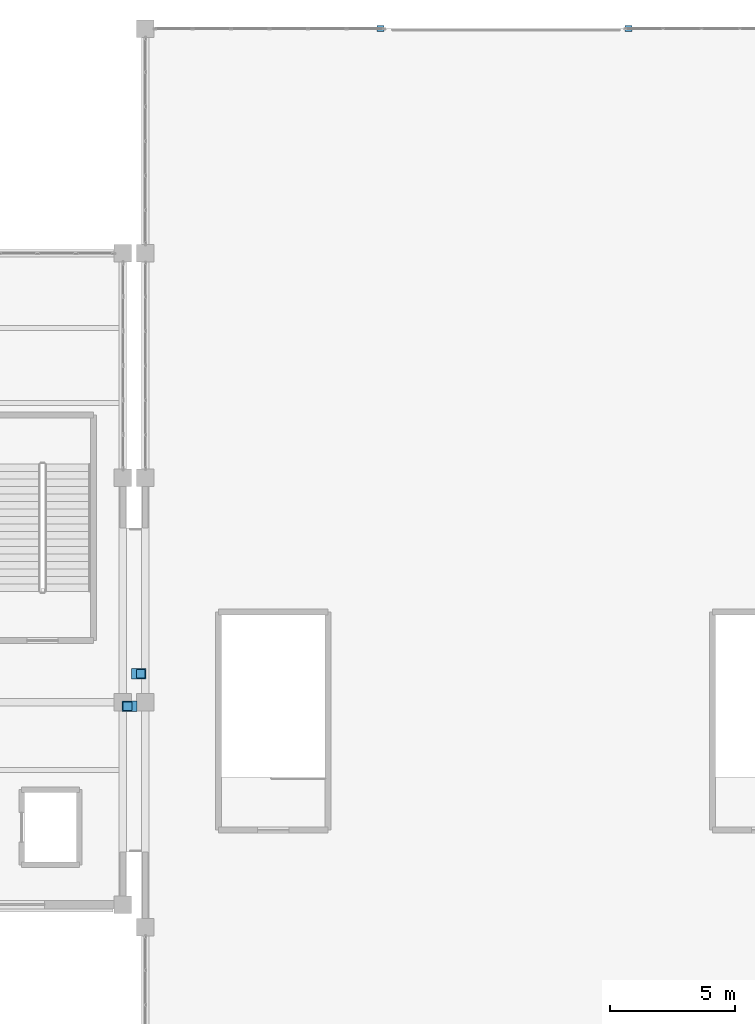
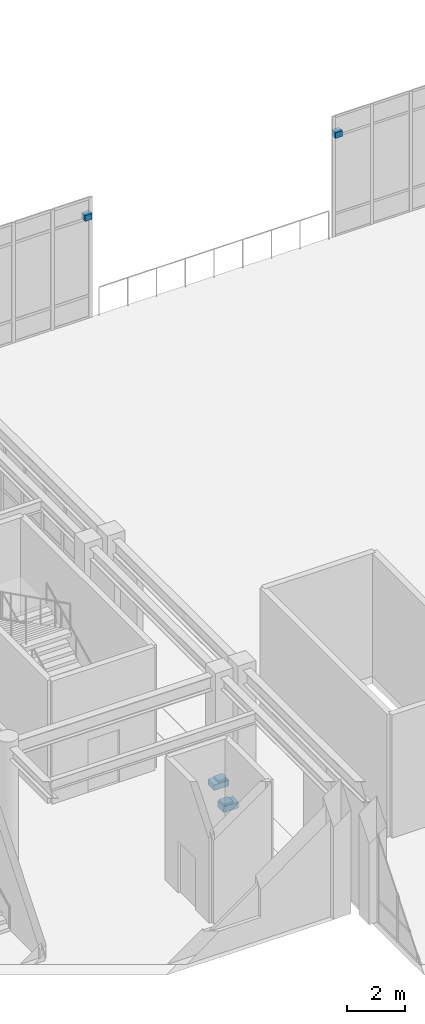
# One storey, part 71 of 80: 6 discrete accessories.
"""IFC4 building model written with IfcOpenShell, lengths in metres."""

import ifcopenshell
import ifcopenshell.guid

model = None  # the IFC model being written
_history = None  # IfcOwnerHistory: only IFC2X3 demands one
_inside = {}  # id of a spatial element -> (the spatial element, [elements in it])
_under = {}  # id of a project, library or spatial element -> (it, [spatial elements below it])
_declared = {}  # id of a project -> (the project, [libraries it declares])
_typed = {}  # id of a type object -> (the type object, [elements of that type])
_made_of = {}  # id of a material, layer set ... -> (it, [elements and type objects made of it])


def new_model(schema):
    """Start an empty IFC model of exactly this schema.

    Asked for "IFC4X3", IfcOpenShell would pick the latest addendum, in which some entities
    have other attributes; the version numbers below select the first issue.
    IFC2X3 requires an IfcOwnerHistory on every rooted entity: one is made here for all.
    """
    global model, _history
    if schema == "IFC4X3":
        model = ifcopenshell.file(schema_version=(4, 3, 0, 0))
    else:
        model = ifcopenshell.file(schema=schema)
    _inside.clear()
    _under.clear()
    _declared.clear()
    _typed.clear()
    _made_of.clear()
    _history = None
    if model.schema == "IFC2X3":
        org = make("IfcOrganization", Name="unknown")
        user = make(
            "IfcPersonAndOrganization",
            ThePerson=make("IfcPerson", FamilyName="unknown"),
            TheOrganization=org,
        )
        app = make(
            "IfcApplication",
            ApplicationDeveloper=org,
            Version="unknown",
            ApplicationFullName="unknown",
            ApplicationIdentifier="unknown",
        )
        _history = make(
            "IfcOwnerHistory",
            OwningUser=user,
            OwningApplication=app,
            ChangeAction="ADDED",
            CreationDate=0,
        )
    return model


def make(cls, **values):
    """One entity of the class cls with the attributes given. An attribute that is None is left unset."""
    return model.create_entity(
        cls, **{name: value for name, value in values.items() if value is not None}
    )


def rooted(cls, **values):
    """An entity with a GlobalId (a new one), such as an element, a storey or a relation."""
    return make(cls, GlobalId=ifcopenshell.guid.new(), OwnerHistory=_history, **values)


def si_unit(unit_type, name, prefix=None):
    """IfcSIUnit, for example si_unit("LENGTHUNIT", "METRE", prefix="MILLI")."""
    return make("IfcSIUnit", UnitType=unit_type, Prefix=prefix, Name=name)


def assignment(units):
    """IfcUnitAssignment: the units of a project."""
    return None if units is None else make("IfcUnitAssignment", Units=units)


def point(xyz):
    """IfcCartesianPoint."""
    return None if xyz is None else make("IfcCartesianPoint", Coordinates=xyz)


def direction(xyz):
    """IfcDirection."""
    return None if xyz is None else make("IfcDirection", DirectionRatios=xyz)


def frame(location, z_axis=None, x_axis=None):
    """IfcAxis2Placement3D, a coordinate frame: its origin and axes. An axis left out is left unset."""
    return make(
        "IfcAxis2Placement3D",
        Location=point(location),
        Axis=direction(z_axis),
        RefDirection=direction(x_axis),
    )


def frame_2d(location, x_axis=None):
    """IfcAxis2Placement2D, a coordinate frame in the plane: its origin and x axis."""
    return make(
        "IfcAxis2Placement2D", Location=point(location), RefDirection=direction(x_axis)
    )


def origin():
    """The frame at (0, 0, 0) with its axes left unset."""
    return frame((0.0, 0.0, 0.0))


def origin_2d():
    """The frame at (0, 0) in the plane with its x axis left unset."""
    return frame_2d((0.0, 0.0))


def place(relative_to, where):
    """IfcLocalPlacement: puts the frame where relative to a parent placement (None: the world)."""
    return make(
        "IfcLocalPlacement", PlacementRelTo=relative_to, RelativePlacement=where
    )


def context(
    kind, dimensions, precision=None, world=None, true_north=None, identifier=None
):
    """IfcGeometricRepresentationContext, for example the 3D "Model" context."""
    return make(
        "IfcGeometricRepresentationContext",
        ContextIdentifier=identifier,
        ContextType=kind,
        CoordinateSpaceDimension=dimensions,
        Precision=precision,
        WorldCoordinateSystem=world,
        TrueNorth=true_north,
    )


def subcontext(parent, identifier, kind, view, scale=None):
    """IfcGeometricRepresentationSubContext, for example "Body" below "Model"."""
    return make(
        "IfcGeometricRepresentationSubContext",
        ContextIdentifier=identifier,
        ContextType=kind,
        ParentContext=parent,
        TargetScale=scale,
        TargetView=view,
    )


def project(units=None, contexts=None):
    """IfcProject with its units and contexts."""
    return rooted(
        "IfcProject",
        Name="project",
        RepresentationContexts=contexts,
        UnitsInContext=assignment(units),
    )


def spatial(cls, under=None, at=None, **own):
    """A site, building, storey or space (cls), placed at a placement, below another one or the project."""
    s = rooted(cls, ObjectPlacement=at, **own)
    if under is not None:
        _under.setdefault(under.id(), (under, []))[1].append(s)
    return s


def profile(cls, at=None, kind="AREA", **sizes):
    """A parametric profile (cls). Its sizes go by their IFC names, for example OverallWidth=200.0."""
    return make(cls, ProfileType=kind, Position=at, **sizes)


def rectangle(**sizes):
    """IfcRectangleProfileDef."""
    return profile("IfcRectangleProfileDef", **sizes)


def extrude(swept, where, along, depth):
    """IfcExtrudedAreaSolid: the profile swept, set in the frame where, extruded along a direction by depth."""
    return make(
        "IfcExtrudedAreaSolid",
        SweptArea=swept,
        Position=where,
        ExtrudedDirection=direction(along),
        Depth=depth,
    )


def shape(context_of_items, identifier, shape_type, items):
    """IfcShapeRepresentation: the items that make up one representation, for example the "Body"."""
    return make(
        "IfcShapeRepresentation",
        ContextOfItems=context_of_items,
        RepresentationIdentifier=identifier,
        RepresentationType=shape_type,
        Items=items,
    )


def material(Name=None, Category=None):
    """IfcMaterial."""
    return make("IfcMaterial", Name=Name, Category=Category)


def layer(
    of_material, thickness, ventilated=None, Name=None, Category=None, Priority=None
):
    """IfcMaterialLayer: one layer of a wall or slab, of a material (None: an air gap)."""
    return make(
        "IfcMaterialLayer",
        Material=of_material,
        LayerThickness=thickness,
        IsVentilated=ventilated,
        Name=Name,
        Category=Category,
        Priority=Priority,
    )


def layer_set(layers, Name=None):
    """IfcMaterialLayerSet."""
    return make("IfcMaterialLayerSet", MaterialLayers=layers, LayerSetName=Name)


def made_of(thing, what):
    """Note that an element or type object is made of a material, layer set ...; save() writes the relation."""
    if what is not None:
        _made_of.setdefault(what.id(), (what, []))[1].append(thing)
    return thing


def type_object(cls, material=None, **own):
    """A type object (cls), such as IfcWallType, which elements share."""
    return made_of(rooted(cls, **own), material)


def element(
    cls,
    number,
    at=None,
    inside=None,
    cuts=None,
    type_object=None,
    material=None,
    context=None,
    identifier="Body",
    shape_type=None,
    held_by="IfcProductDefinitionShape",
    body=None,
    shapes=None,
    **own,
):
    """One element of the class cls, such as IfcWall. Its Tag is "e" and its number.

    at: its placement. inside: the storey or other place that contains it. cuts: it is an
    opening in that element (IfcRelVoidsElement). A single representation is given by context,
    identifier, shape_type and body (its items); several are given by shapes. held_by: the class
    of the entity that holds the representations. save() writes the other relations.
    """
    e = rooted(cls, Tag="e%d" % number, ObjectPlacement=at, **own)
    if body is not None:
        shapes = [shape(context, identifier, shape_type, body)]
    if shapes is not None:
        e.Representation = make(held_by, Representations=shapes)
    if inside is not None:
        _inside.setdefault(inside.id(), (inside, []))[1].append(e)
    if cuts is not None:
        rooted(
            "IfcRelVoidsElement", RelatingBuildingElement=cuts, RelatedOpeningElement=e
        )
    if type_object is not None:
        _typed.setdefault(type_object.id(), (type_object, []))[1].append(e)
    return made_of(e, material)


def aggregate(whole, parts):
    """IfcRelAggregates: a whole, such as a stair, and the parts it consists of."""
    return rooted("IfcRelAggregates", RelatingObject=whole, RelatedObjects=parts)


def save(model, path):
    """Write the relations noted so far, then the file.

    IfcRelAggregates (storeys below a building ...), IfcRelContainedInSpatialStructure (elements
    in a storey), IfcRelDefinesByType, IfcRelAssociatesMaterial and IfcRelDeclares: one each for
    every whole, place, type object, material and project.
    """
    for whole, parts in _under.values():
        aggregate(whole, parts)
    for where, things in _inside.values():
        rooted(
            "IfcRelContainedInSpatialStructure",
            RelatedElements=things,
            RelatingStructure=where,
        )
    for kind, things in _typed.values():
        rooted("IfcRelDefinesByType", RelatedObjects=things, RelatingType=kind)
    for what, things in _made_of.values():
        rooted("IfcRelAssociatesMaterial", RelatedObjects=things, RelatingMaterial=what)
    for by, libraries in _declared.values():
        rooted("IfcRelDeclares", RelatingContext=by, RelatedDefinitions=libraries)
    model.write(path)


model = new_model("IFC4")

# Units and contexts
model_context = context("Model", 3, precision=1e-05, world=origin(), true_north=direction((0.0, 1.0)))
body_context = subcontext(model_context, "Body", "Model", "MODEL_VIEW")
ifc_project = project(units=[si_unit("LENGTHUNIT", "METRE"), si_unit("AREAUNIT", "SQUARE_METRE"), si_unit("VOLUMEUNIT", "CUBIC_METRE"), si_unit("PLANEANGLEUNIT", "RADIAN"), si_unit("MASSUNIT", "GRAM", prefix="KILO")], contexts=[model_context])

# Site, building, storey
site_placement = place(None, origin())
site = spatial("IfcSite", under=ifc_project, at=site_placement, CompositionType="ELEMENT")
building_placement = place(site_placement, origin())
building = spatial("IfcBuilding", under=site, at=building_placement, Name="Canglan Escarpment Cableway Terminal", CompositionType="ELEMENT")
storey_placement = place(building_placement, frame((0.0, 0.0, 19.199951171875)))
storey = spatial("IfcBuildingStorey", under=building, at=storey_placement, Name="L04", CompositionType="ELEMENT", Elevation=19.199951171875)

# Discrete accessories
ifc_material_1 = material(Name="Steel Q355B", Category="steel")
ifc_layer_1 = layer(ifc_material_1, 0.159912109375, Name="Steel Q355B")
ifc_layer_set_1 = layer_set([ifc_layer_1], Name="Steel Q355B")
discrete_accessory_type_1 = type_object("IfcDiscreteAccessoryType", Name="ACC-BRACKET-01", PredefinedType="BRACKET", material=ifc_layer_set_1)
for number, where, z_axis, x_axis, name in (
    (1, (147.030029296875, 124.0, 4.18017578125), (0.0, 0.0, 1.0), (1.0, 0.0, 0.0), "Portal screen mullion bracket BK-01"),
    (2, (156.969970703125, 124.0, 4.18017578125), (0.0, 0.0, 1.0), (1.0, 0.0, 0.0), "Portal screen mullion bracket BK-01"),
):
    element("IfcDiscreteAccessory", number, at=place(storey_placement, frame(where, z_axis=z_axis, x_axis=x_axis)), inside=storey, type_object=discrete_accessory_type_1, Name=name, PredefinedType="BRACKET", context=body_context, shape_type="SweptSolid", body=[
        extrude(rectangle(XDim=0.280029296875, YDim=0.239990234375, at=origin_2d()), origin(), (0.0, 0.0, 1.0), 0.239990234375),
    ])
ifc_material_2 = material(Name="Concrete C40", Category="concrete")
ifc_layer_2 = layer(ifc_material_2, 0.239990234375, Name="Concrete C40")
ifc_layer_set_2 = layer_set([ifc_layer_2], Name="Concrete C40")
discrete_accessory_type_2 = type_object("IfcDiscreteAccessoryType", Name="ACC-CORBEL-CB01", PredefinedType="BRACKET", material=ifc_layer_set_2)
for number, where, z_axis, x_axis, name in (
    (3, (136.965087890625, 96.85009765625, -0.5400390625), (0.0, 0.0, 1.0), (1.0, 0.0, 0.0), "Concrete C40 movement-joint corbel bearing ledge CB-01"),
    (4, (137.3349609375, 98.14990234375, -0.5400390625), (0.0, 0.0, 1.0), (1.0, 0.0, 0.0), "Concrete C40 movement-joint corbel bearing ledge CB-01"),
):
    element("IfcDiscreteAccessory", number, at=place(storey_placement, frame(where, z_axis=z_axis, x_axis=x_axis)), inside=storey, type_object=discrete_accessory_type_2, Name=name, PredefinedType="BRACKET", context=body_context, shape_type="SweptSolid", body=[
        extrude(rectangle(XDim=0.60009765625, YDim=0.419921875, at=origin_2d()), origin(), (0.0, 0.0, 1.0), 0.239990234375),
    ])
ifc_material_3 = material(Name="Stainless steel and PTFE elastomer", Category="steel")
ifc_layer_3 = layer(ifc_material_3, 0.080078125, Name="Stainless steel and PTFE elastomer")
ifc_layer_set_3 = layer_set([ifc_layer_3], Name="Stainless steel and PTFE elastomer")
discrete_accessory_type_3 = type_object("IfcDiscreteAccessoryType", Name="BRG-SLIDING-MJ01", PredefinedType="USERDEFINED", material=ifc_layer_set_3)
for number, where, z_axis, x_axis, name in (
    (5, (136.885009765625, 96.85009765625, -0.300048828125), (0.0, 0.0, 1.0), (1.0, 0.0, 0.0), "Unguided PTFE-elastomeric sliding bearing pad MJ-01"),
    (6, (137.4150390625, 98.14990234375, -0.300048828125), (0.0, 0.0, 1.0), (1.0, 0.0, 0.0), "Unguided PTFE-elastomeric sliding bearing pad MJ-01"),
):
    element("IfcDiscreteAccessory", number, at=place(storey_placement, frame(where, z_axis=z_axis, x_axis=x_axis)), inside=storey, type_object=discrete_accessory_type_3, Name=name, ObjectType="SLIDING BEARING", PredefinedType="USERDEFINED", context=body_context, shape_type="SweptSolid", body=[
        extrude(rectangle(XDim=0.35009765625, YDim=0.35009765625, at=origin_2d()), origin(), (0.0, 0.0, 1.0), 0.080078125),
    ])

save(model, "model.ifc")
